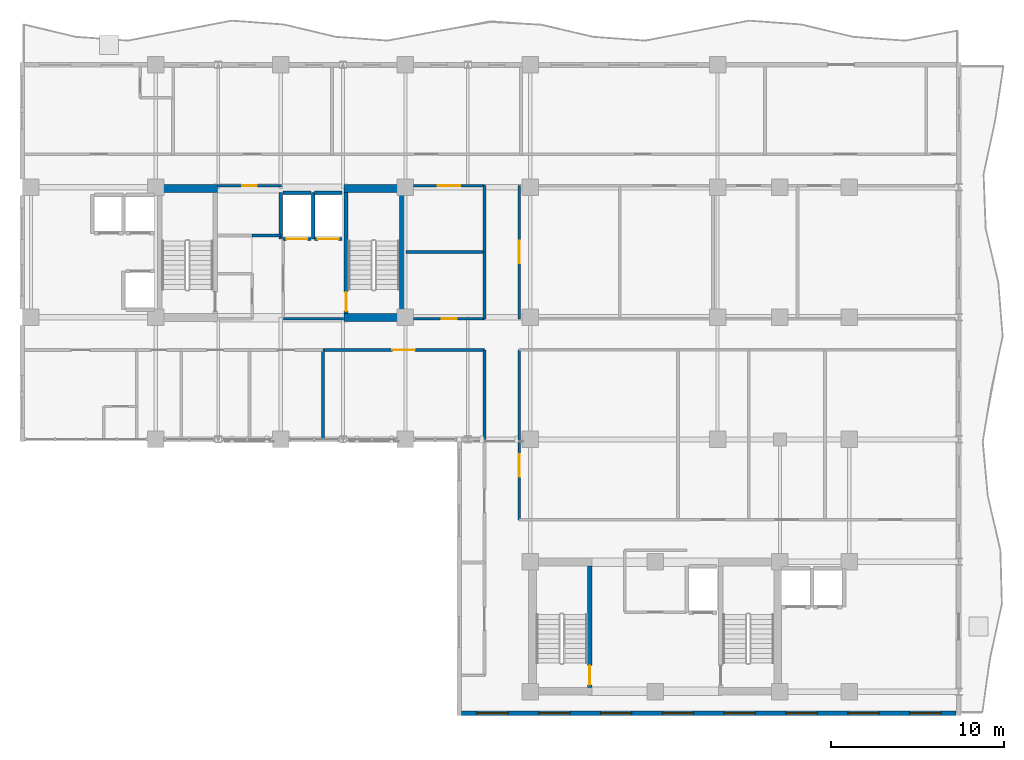
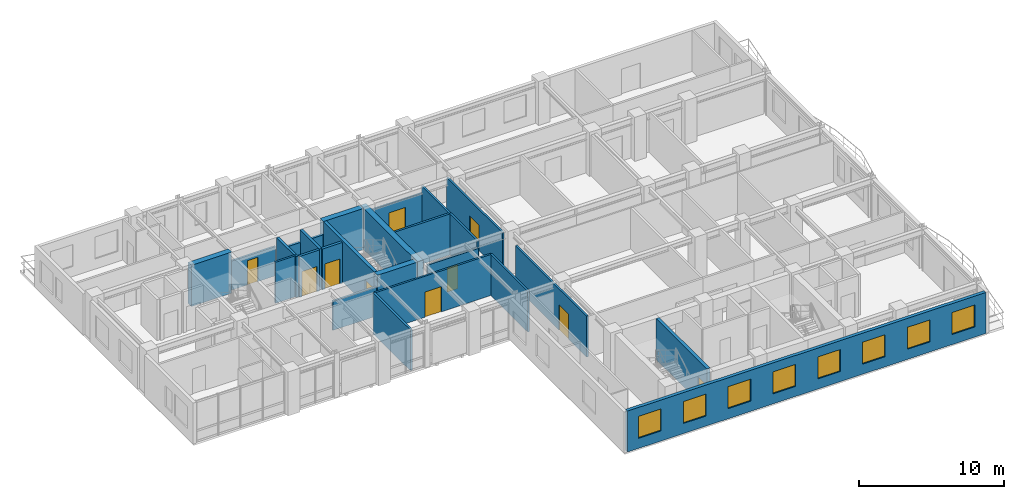
# One storey, part 9 of 16: 26 walls, 10 doors, 8 windows, 18 openings.
"""IFC4 building model written with IfcOpenShell, lengths in metres."""

import ifcopenshell
import ifcopenshell.guid

model = None  # the IFC model being written
_history = None  # IfcOwnerHistory: only IFC2X3 demands one
_inside = {}  # id of a spatial element -> (the spatial element, [elements in it])
_under = {}  # id of a project, library or spatial element -> (it, [spatial elements below it])
_declared = {}  # id of a project -> (the project, [libraries it declares])
_typed = {}  # id of a type object -> (the type object, [elements of that type])
_made_of = {}  # id of a material, layer set ... -> (it, [elements and type objects made of it])


def new_model(schema):
    """Start an empty IFC model of exactly this schema.

    Asked for "IFC4X3", IfcOpenShell would pick the latest addendum, in which some entities
    have other attributes; the version numbers below select the first issue.
    IFC2X3 requires an IfcOwnerHistory on every rooted entity: one is made here for all.
    """
    global model, _history
    if schema == "IFC4X3":
        model = ifcopenshell.file(schema_version=(4, 3, 0, 0))
    else:
        model = ifcopenshell.file(schema=schema)
    _inside.clear()
    _under.clear()
    _declared.clear()
    _typed.clear()
    _made_of.clear()
    _history = None
    if model.schema == "IFC2X3":
        org = make("IfcOrganization", Name="unknown")
        user = make(
            "IfcPersonAndOrganization",
            ThePerson=make("IfcPerson", FamilyName="unknown"),
            TheOrganization=org,
        )
        app = make(
            "IfcApplication",
            ApplicationDeveloper=org,
            Version="unknown",
            ApplicationFullName="unknown",
            ApplicationIdentifier="unknown",
        )
        _history = make(
            "IfcOwnerHistory",
            OwningUser=user,
            OwningApplication=app,
            ChangeAction="ADDED",
            CreationDate=0,
        )
    return model


def make(cls, **values):
    """One entity of the class cls with the attributes given. An attribute that is None is left unset."""
    return model.create_entity(
        cls, **{name: value for name, value in values.items() if value is not None}
    )


def rooted(cls, **values):
    """An entity with a GlobalId (a new one), such as an element, a storey or a relation."""
    return make(cls, GlobalId=ifcopenshell.guid.new(), OwnerHistory=_history, **values)


def si_unit(unit_type, name, prefix=None):
    """IfcSIUnit, for example si_unit("LENGTHUNIT", "METRE", prefix="MILLI")."""
    return make("IfcSIUnit", UnitType=unit_type, Prefix=prefix, Name=name)


def assignment(units):
    """IfcUnitAssignment: the units of a project."""
    return None if units is None else make("IfcUnitAssignment", Units=units)


def point(xyz):
    """IfcCartesianPoint."""
    return None if xyz is None else make("IfcCartesianPoint", Coordinates=xyz)


def direction(xyz):
    """IfcDirection."""
    return None if xyz is None else make("IfcDirection", DirectionRatios=xyz)


def frame(location, z_axis=None, x_axis=None):
    """IfcAxis2Placement3D, a coordinate frame: its origin and axes. An axis left out is left unset."""
    return make(
        "IfcAxis2Placement3D",
        Location=point(location),
        Axis=direction(z_axis),
        RefDirection=direction(x_axis),
    )


def frame_2d(location, x_axis=None):
    """IfcAxis2Placement2D, a coordinate frame in the plane: its origin and x axis."""
    return make(
        "IfcAxis2Placement2D", Location=point(location), RefDirection=direction(x_axis)
    )


def origin():
    """The frame at (0, 0, 0) with its axes left unset."""
    return frame((0.0, 0.0, 0.0))


def place(relative_to, where):
    """IfcLocalPlacement: puts the frame where relative to a parent placement (None: the world)."""
    return make(
        "IfcLocalPlacement", PlacementRelTo=relative_to, RelativePlacement=where
    )


def context(
    kind, dimensions, precision=None, world=None, true_north=None, identifier=None
):
    """IfcGeometricRepresentationContext, for example the 3D "Model" context."""
    return make(
        "IfcGeometricRepresentationContext",
        ContextIdentifier=identifier,
        ContextType=kind,
        CoordinateSpaceDimension=dimensions,
        Precision=precision,
        WorldCoordinateSystem=world,
        TrueNorth=true_north,
    )


def subcontext(parent, identifier, kind, view, scale=None):
    """IfcGeometricRepresentationSubContext, for example "Body" below "Model"."""
    return make(
        "IfcGeometricRepresentationSubContext",
        ContextIdentifier=identifier,
        ContextType=kind,
        ParentContext=parent,
        TargetScale=scale,
        TargetView=view,
    )


def project(units=None, contexts=None):
    """IfcProject with its units and contexts."""
    return rooted(
        "IfcProject",
        Name="project",
        RepresentationContexts=contexts,
        UnitsInContext=assignment(units),
    )


def spatial(cls, under=None, at=None, **own):
    """A site, building, storey or space (cls), placed at a placement, below another one or the project."""
    s = rooted(cls, ObjectPlacement=at, **own)
    if under is not None:
        _under.setdefault(under.id(), (under, []))[1].append(s)
    return s


def profile(cls, at=None, kind="AREA", **sizes):
    """A parametric profile (cls). Its sizes go by their IFC names, for example OverallWidth=200.0."""
    return make(cls, ProfileType=kind, Position=at, **sizes)


def rectangle(**sizes):
    """IfcRectangleProfileDef."""
    return profile("IfcRectangleProfileDef", **sizes)


def extrude(swept, where, along, depth):
    """IfcExtrudedAreaSolid: the profile swept, set in the frame where, extruded along a direction by depth."""
    return make(
        "IfcExtrudedAreaSolid",
        SweptArea=swept,
        Position=where,
        ExtrudedDirection=direction(along),
        Depth=depth,
    )


def shape(context_of_items, identifier, shape_type, items):
    """IfcShapeRepresentation: the items that make up one representation, for example the "Body"."""
    return make(
        "IfcShapeRepresentation",
        ContextOfItems=context_of_items,
        RepresentationIdentifier=identifier,
        RepresentationType=shape_type,
        Items=items,
    )


def material(Name=None, Category=None):
    """IfcMaterial."""
    return make("IfcMaterial", Name=Name, Category=Category)


def layer(
    of_material, thickness, ventilated=None, Name=None, Category=None, Priority=None
):
    """IfcMaterialLayer: one layer of a wall or slab, of a material (None: an air gap)."""
    return make(
        "IfcMaterialLayer",
        Material=of_material,
        LayerThickness=thickness,
        IsVentilated=ventilated,
        Name=Name,
        Category=Category,
        Priority=Priority,
    )


def layer_set(layers, Name=None):
    """IfcMaterialLayerSet."""
    return make("IfcMaterialLayerSet", MaterialLayers=layers, LayerSetName=Name)


def made_of(thing, what):
    """Note that an element or type object is made of a material, layer set ...; save() writes the relation."""
    if what is not None:
        _made_of.setdefault(what.id(), (what, []))[1].append(thing)
    return thing


def type_object(cls, material=None, **own):
    """A type object (cls), such as IfcWallType, which elements share."""
    return made_of(rooted(cls, **own), material)


def element(
    cls,
    number,
    at=None,
    inside=None,
    cuts=None,
    type_object=None,
    material=None,
    context=None,
    identifier="Body",
    shape_type=None,
    held_by="IfcProductDefinitionShape",
    body=None,
    shapes=None,
    **own,
):
    """One element of the class cls, such as IfcWall. Its Tag is "e" and its number.

    at: its placement. inside: the storey or other place that contains it. cuts: it is an
    opening in that element (IfcRelVoidsElement). A single representation is given by context,
    identifier, shape_type and body (its items); several are given by shapes. held_by: the class
    of the entity that holds the representations. save() writes the other relations.
    """
    e = rooted(cls, Tag="e%d" % number, ObjectPlacement=at, **own)
    if body is not None:
        shapes = [shape(context, identifier, shape_type, body)]
    if shapes is not None:
        e.Representation = make(held_by, Representations=shapes)
    if inside is not None:
        _inside.setdefault(inside.id(), (inside, []))[1].append(e)
    if cuts is not None:
        rooted(
            "IfcRelVoidsElement", RelatingBuildingElement=cuts, RelatedOpeningElement=e
        )
    if type_object is not None:
        _typed.setdefault(type_object.id(), (type_object, []))[1].append(e)
    return made_of(e, material)


def fill(opening, filler):
    """IfcRelFillsElement: the door or window that sits in an opening."""
    return rooted(
        "IfcRelFillsElement",
        RelatingOpeningElement=opening,
        RelatedBuildingElement=filler,
    )


def aggregate(whole, parts):
    """IfcRelAggregates: a whole, such as a stair, and the parts it consists of."""
    return rooted("IfcRelAggregates", RelatingObject=whole, RelatedObjects=parts)


def save(model, path):
    """Write the relations noted so far, then the file.

    IfcRelAggregates (storeys below a building ...), IfcRelContainedInSpatialStructure (elements
    in a storey), IfcRelDefinesByType, IfcRelAssociatesMaterial and IfcRelDeclares: one each for
    every whole, place, type object, material and project.
    """
    for whole, parts in _under.values():
        aggregate(whole, parts)
    for where, things in _inside.values():
        rooted(
            "IfcRelContainedInSpatialStructure",
            RelatedElements=things,
            RelatingStructure=where,
        )
    for kind, things in _typed.values():
        rooted("IfcRelDefinesByType", RelatedObjects=things, RelatingType=kind)
    for what, things in _made_of.values():
        rooted("IfcRelAssociatesMaterial", RelatedObjects=things, RelatingMaterial=what)
    for by, libraries in _declared.values():
        rooted("IfcRelDeclares", RelatingContext=by, RelatedDefinitions=libraries)
    model.write(path)


model = new_model("IFC4")

# Units and contexts
model_context = context("Model", 3, precision=1e-05, world=origin(), true_north=direction((0.0, 1.0)))
body_context = subcontext(model_context, "Body", "Model", "MODEL_VIEW")
ifc_project = project(units=[si_unit("LENGTHUNIT", "METRE"), si_unit("AREAUNIT", "SQUARE_METRE"), si_unit("VOLUMEUNIT", "CUBIC_METRE"), si_unit("PLANEANGLEUNIT", "RADIAN"), si_unit("MASSUNIT", "GRAM", prefix="KILO")], contexts=[model_context])

# Site, building, storey
site_placement = place(None, origin())
site = spatial("IfcSite", under=ifc_project, at=site_placement, CompositionType="ELEMENT")
building_placement = place(site_placement, origin())
building = spatial("IfcBuilding", under=site, at=building_placement, Name="Kaliganga Portal Commons", CompositionType="ELEMENT")
storey_placement = place(building_placement, frame((0.0, 0.0, 205.5)))
storey = spatial("IfcBuildingStorey", under=building, at=storey_placement, Name="L52", CompositionType="ELEMENT", Elevation=205.5)

# Walls
ifc_material_1 = material(Name="Concrete C60/75", Category="concrete")
ifc_layer_1 = layer(ifc_material_1, 0.449951171875)
ifc_layer_set_1 = layer_set([ifc_layer_1], Name="Concrete C60/75")
wall_type_1 = type_object("IfcWallType", Name="WL-CORE-450", PredefinedType="SHEAR", material=ifc_layer_set_1)
wall_1_placement = place(storey_placement, frame((28.675048828125, 28.39990234375, 0.0), z_axis=(0.0, 0.0, 1.0), x_axis=(0.0, 1.0, 0.0)))
element("IfcWall", 1, at=wall_1_placement, inside=storey, type_object=wall_type_1, Name="Core A East Shear Wall L52", PredefinedType="SHEAR", context=body_context, shape_type="SweptSolid", body=[
    extrude(rectangle(XDim=7.900146484375, YDim=0.449951171875, at=frame_2d((3.9501953125, 0.0))), origin(), (0.0, 0.0, 1.0), 3.469970703125),
])
for number, where, z_axis, x_axis, name in (
    (2, (25.25, 28.625, 0.0), (0.0, 0.0, 1.0), (1.0, 0.0, 0.0), "Core A S-East Shear Wall L52"),
    (3, (14.75, 36.074951171875, 0.0), (0.0, 0.0, 1.0), (1.0, 0.0, 0.0), "Core A N-West Shear Wall L52"),
    (4, (25.25, 36.074951171875, 0.0), (0.0, 0.0, 1.0), (1.0, 0.0, 0.0), "Core A N-East Shear Wall L52"),
):
    element("IfcWall", number, at=place(storey_placement, frame(where, z_axis=z_axis, x_axis=x_axis)), inside=storey, type_object=wall_type_1, Name=name, PredefinedType="SHEAR", context=body_context, shape_type="SweptSolid", body=[
        extrude(rectangle(XDim=3.199951171875, YDim=0.449951171875, at=frame_2d((1.60009765625, 0.0))), origin(), (0.0, 0.0, 1.0), 3.469970703125),
    ])

# Wall, openings, windows
ifc_material_2 = material(Name="Insulated Aluminium-Clad Spandrel Assembly", Category="aluminium")
ifc_layer_2 = layer(ifc_material_2, 0.260009765625)
ifc_layer_set_2 = layer_set([ifc_layer_2], Name="Insulated Aluminium-Clad Spandrel Assembly")
wall_type_2 = type_object("IfcWallType", Name="WL-EXT-SPAND-260", PredefinedType="STANDARD", material=ifc_layer_set_2)
wall_2_placement = place(storey_placement, frame((60.56494140625, 5.800048828125, 0.0), z_axis=(0.0, 0.0, 1.0), x_axis=(-1.0, 0.0, 0.0)))
wall_2 = element("IfcWall", 5, at=wall_2_placement, inside=storey, type_object=wall_type_2, Name="Exterior Envelope Wall L52 P1-E00-S1", PredefinedType="STANDARD", context=body_context, shape_type="SweptSolid", body=[
    extrude(rectangle(XDim=28.530029296875, YDim=0.260009765625, at=frame_2d((14.26513671875, 0.0))), origin(), (0.0, 0.0, 1.0), 3.449951171875),
])
opening_1_placement = place(wall_2_placement, frame((0.883056640625, 0.0, 0.85009765625)))
opening_1 = element("IfcOpeningElement", 6, at=opening_1_placement, cuts=wall_2, Name="Opening W-01", PredefinedType="OPENING", context=body_context, shape_type="SweptSolid", body=[
    extrude(rectangle(XDim=1.800048828125, YDim=1.85009765625, at=frame_2d((0.89990234375, 0.925048828125))), frame((0.0, 0.14013671875, 0.0), z_axis=(0.0, -1.0, 0.0), x_axis=(1.0, 0.0, 0.0)), (0.0, 0.0, 1.0), 0.280029296875),
])
opening_2_placement = place(wall_2_placement, frame((4.449462890625, 0.0, 0.85009765625)))
opening_2 = element("IfcOpeningElement", 7, at=opening_2_placement, cuts=wall_2, Name="Opening W-01", PredefinedType="OPENING", context=body_context, shape_type="SweptSolid", body=[
    extrude(rectangle(XDim=1.800048828125, YDim=1.85009765625, at=frame_2d((0.89990234375, 0.925048828125))), frame((0.0, 0.14013671875, 0.0), z_axis=(0.0, -1.0, 0.0), x_axis=(1.0, 0.0, 0.0)), (0.0, 0.0, 1.0), 0.280029296875),
])
opening_3_placement = place(wall_2_placement, frame((8.015625, 0.0, 0.85009765625)))
opening_3 = element("IfcOpeningElement", 8, at=opening_3_placement, cuts=wall_2, Name="Opening W-01", PredefinedType="OPENING", context=body_context, shape_type="SweptSolid", body=[
    extrude(rectangle(XDim=1.800048828125, YDim=1.85009765625, at=frame_2d((0.89990234375, 0.925048828125))), frame((0.0, 0.14013671875, 0.0), z_axis=(0.0, -1.0, 0.0), x_axis=(1.0, 0.0, 0.0)), (0.0, 0.0, 1.0), 0.280029296875),
])
opening_4_placement = place(wall_2_placement, frame((11.581787109375, 0.0, 0.85009765625)))
opening_4 = element("IfcOpeningElement", 9, at=opening_4_placement, cuts=wall_2, Name="Opening W-01", PredefinedType="OPENING", context=body_context, shape_type="SweptSolid", body=[
    extrude(rectangle(XDim=1.800048828125, YDim=1.85009765625, at=frame_2d((0.89990234375, 0.925048828125))), frame((0.0, 0.14013671875, 0.0), z_axis=(0.0, -1.0, 0.0), x_axis=(1.0, 0.0, 0.0)), (0.0, 0.0, 1.0), 0.280029296875),
])
opening_5_placement = place(wall_2_placement, frame((15.148193359375, 0.0, 0.85009765625)))
opening_5 = element("IfcOpeningElement", 10, at=opening_5_placement, cuts=wall_2, Name="Opening W-01", PredefinedType="OPENING", context=body_context, shape_type="SweptSolid", body=[
    extrude(rectangle(XDim=1.800048828125, YDim=1.85009765625, at=frame_2d((0.89990234375, 0.925048828125))), frame((0.0, 0.14013671875, 0.0), z_axis=(0.0, -1.0, 0.0), x_axis=(1.0, 0.0, 0.0)), (0.0, 0.0, 1.0), 0.280029296875),
])
opening_6_placement = place(wall_2_placement, frame((18.71435546875, 0.0, 0.85009765625)))
opening_6 = element("IfcOpeningElement", 11, at=opening_6_placement, cuts=wall_2, Name="Opening W-01", PredefinedType="OPENING", context=body_context, shape_type="SweptSolid", body=[
    extrude(rectangle(XDim=1.800048828125, YDim=1.85009765625, at=frame_2d((0.89990234375, 0.925048828125))), frame((0.0, 0.14013671875, 0.0), z_axis=(0.0, -1.0, 0.0), x_axis=(1.0, 0.0, 0.0)), (0.0, 0.0, 1.0), 0.280029296875),
])
opening_7_placement = place(wall_2_placement, frame((22.280517578125, 0.0, 0.85009765625)))
opening_7 = element("IfcOpeningElement", 12, at=opening_7_placement, cuts=wall_2, Name="Opening W-01", PredefinedType="OPENING", context=body_context, shape_type="SweptSolid", body=[
    extrude(rectangle(XDim=1.800048828125, YDim=1.85009765625, at=frame_2d((0.89990234375, 0.925048828125))), frame((0.0, 0.14013671875, 0.0), z_axis=(0.0, -1.0, 0.0), x_axis=(1.0, 0.0, 0.0)), (0.0, 0.0, 1.0), 0.280029296875),
])
opening_8_placement = place(wall_2_placement, frame((25.846923828125, 0.0, 0.85009765625)))
opening_8 = element("IfcOpeningElement", 13, at=opening_8_placement, cuts=wall_2, Name="Opening W-01", PredefinedType="OPENING", context=body_context, shape_type="SweptSolid", body=[
    extrude(rectangle(XDim=1.800048828125, YDim=1.85009765625, at=frame_2d((0.89990234375, 0.925048828125))), frame((0.0, 0.14013671875, 0.0), z_axis=(0.0, -1.0, 0.0), x_axis=(1.0, 0.0, 0.0)), (0.0, 0.0, 1.0), 0.280029296875),
])
ifc_material_3 = material(Name="Thermally Broken Aluminium and Low-E Double Glazing", Category="aluminium")
window_type = type_object("IfcWindowType", Name="WIN-STD-1800", PartitioningType="DOUBLE_PANEL_VERTICAL", PredefinedType="WINDOW", material=ifc_material_3)
window_1_placement = place(opening_1_placement, origin())
window_1 = element("IfcWindow", 14, at=window_1_placement, inside=storey, type_object=window_type, Name="Facade Window L52-P1E00S1-00", OverallHeight=1.85009765625, OverallWidth=1.800048828125, PartitioningType="SINGLE_PANEL", PredefinedType="WINDOW", context=body_context, shape_type="SweptSolid", body=[
    extrude(rectangle(XDim=1.800048828125, YDim=1.85009765625, at=frame_2d((0.89990234375, 0.925048828125))), frame((0.0, 0.030029296875, 0.0), z_axis=(0.0, -1.0, 0.0), x_axis=(1.0, 0.0, 0.0)), (0.0, 0.0, 1.0), 0.06005859375),
])
fill(opening_1, window_1)
window_2_placement = place(opening_2_placement, origin())
window_2 = element("IfcWindow", 15, at=window_2_placement, inside=storey, type_object=window_type, Name="Facade Window L52-P1E00S1-01", OverallHeight=1.85009765625, OverallWidth=1.800048828125, PartitioningType="SINGLE_PANEL", PredefinedType="WINDOW", context=body_context, shape_type="SweptSolid", body=[
    extrude(rectangle(XDim=1.800048828125, YDim=1.85009765625, at=frame_2d((0.89990234375, 0.925048828125))), frame((0.0, 0.030029296875, 0.0), z_axis=(0.0, -1.0, 0.0), x_axis=(1.0, 0.0, 0.0)), (0.0, 0.0, 1.0), 0.06005859375),
])
fill(opening_2, window_2)
window_3_placement = place(opening_3_placement, origin())
window_3 = element("IfcWindow", 16, at=window_3_placement, inside=storey, type_object=window_type, Name="Facade Window L52-P1E00S1-02", OverallHeight=1.85009765625, OverallWidth=1.800048828125, PartitioningType="SINGLE_PANEL", PredefinedType="WINDOW", context=body_context, shape_type="SweptSolid", body=[
    extrude(rectangle(XDim=1.800048828125, YDim=1.85009765625, at=frame_2d((0.89990234375, 0.925048828125))), frame((0.0, 0.030029296875, 0.0), z_axis=(0.0, -1.0, 0.0), x_axis=(1.0, 0.0, 0.0)), (0.0, 0.0, 1.0), 0.06005859375),
])
fill(opening_3, window_3)
window_4_placement = place(opening_4_placement, origin())
window_4 = element("IfcWindow", 17, at=window_4_placement, inside=storey, type_object=window_type, Name="Facade Window L52-P1E00S1-03", OverallHeight=1.85009765625, OverallWidth=1.800048828125, PartitioningType="SINGLE_PANEL", PredefinedType="WINDOW", context=body_context, shape_type="SweptSolid", body=[
    extrude(rectangle(XDim=1.800048828125, YDim=1.85009765625, at=frame_2d((0.89990234375, 0.925048828125))), frame((0.0, 0.030029296875, 0.0), z_axis=(0.0, -1.0, 0.0), x_axis=(1.0, 0.0, 0.0)), (0.0, 0.0, 1.0), 0.06005859375),
])
fill(opening_4, window_4)
window_5_placement = place(opening_5_placement, origin())
window_5 = element("IfcWindow", 18, at=window_5_placement, inside=storey, type_object=window_type, Name="Facade Window L52-P1E00S1-04", OverallHeight=1.85009765625, OverallWidth=1.800048828125, PartitioningType="SINGLE_PANEL", PredefinedType="WINDOW", context=body_context, shape_type="SweptSolid", body=[
    extrude(rectangle(XDim=1.800048828125, YDim=1.85009765625, at=frame_2d((0.89990234375, 0.925048828125))), frame((0.0, 0.030029296875, 0.0), z_axis=(0.0, -1.0, 0.0), x_axis=(1.0, 0.0, 0.0)), (0.0, 0.0, 1.0), 0.06005859375),
])
fill(opening_5, window_5)
window_6_placement = place(opening_6_placement, origin())
window_6 = element("IfcWindow", 19, at=window_6_placement, inside=storey, type_object=window_type, Name="Facade Window L52-P1E00S1-05", OverallHeight=1.85009765625, OverallWidth=1.800048828125, PartitioningType="SINGLE_PANEL", PredefinedType="WINDOW", context=body_context, shape_type="SweptSolid", body=[
    extrude(rectangle(XDim=1.800048828125, YDim=1.85009765625, at=frame_2d((0.89990234375, 0.925048828125))), frame((0.0, 0.030029296875, 0.0), z_axis=(0.0, -1.0, 0.0), x_axis=(1.0, 0.0, 0.0)), (0.0, 0.0, 1.0), 0.06005859375),
])
fill(opening_6, window_6)
window_7_placement = place(opening_7_placement, origin())
window_7 = element("IfcWindow", 20, at=window_7_placement, inside=storey, type_object=window_type, Name="Facade Window L52-P1E00S1-06", OverallHeight=1.85009765625, OverallWidth=1.800048828125, PartitioningType="SINGLE_PANEL", PredefinedType="WINDOW", context=body_context, shape_type="SweptSolid", body=[
    extrude(rectangle(XDim=1.800048828125, YDim=1.85009765625, at=frame_2d((0.89990234375, 0.925048828125))), frame((0.0, 0.030029296875, 0.0), z_axis=(0.0, -1.0, 0.0), x_axis=(1.0, 0.0, 0.0)), (0.0, 0.0, 1.0), 0.06005859375),
])
fill(opening_7, window_7)
window_8_placement = place(opening_8_placement, origin())
window_8 = element("IfcWindow", 21, at=window_8_placement, inside=storey, type_object=window_type, Name="Facade Window L52-P1E00S1-07", OverallHeight=1.85009765625, OverallWidth=1.800048828125, PartitioningType="SINGLE_PANEL", PredefinedType="WINDOW", context=body_context, shape_type="SweptSolid", body=[
    extrude(rectangle(XDim=1.800048828125, YDim=1.85009765625, at=frame_2d((0.89990234375, 0.925048828125))), frame((0.0, 0.030029296875, 0.0), z_axis=(0.0, -1.0, 0.0), x_axis=(1.0, 0.0, 0.0)), (0.0, 0.0, 1.0), 0.06005859375),
])
fill(opening_8, window_8)

# Wall, opening, door
ifc_material_4 = material(Name="Fire-Rated Gypsum Board on Steel Stud", Category="steel")
ifc_layer_3 = layer(ifc_material_4, 0.14990234375)
ifc_layer_set_3 = layer_set([ifc_layer_3], Name="Fire-Rated Gypsum Board on Steel Stud")
wall_type_3 = type_object("IfcWallType", Name="WL-PART-CORR-150", PredefinedType="PARTITIONING", material=ifc_layer_set_3)
wall_3_placement = place(storey_placement, frame((35.360107421875, 16.9599609375, 0.0), z_axis=(0.0, 0.0, 1.0), x_axis=(0.0, 1.0, 0.0)))
wall_3 = element("IfcWall", 22, at=wall_3_placement, inside=storey, type_object=wall_type_3, Name="Interior Partition L52-009", PredefinedType="PARTITIONING", context=body_context, shape_type="SweptSolid", body=[
    extrude(rectangle(XDim=9.800048828125, YDim=0.14990234375, at=frame_2d((4.89990234375, 0.0))), origin(), (0.0, 0.0, 1.0), 3.449951171875),
])
opening_9_placement = place(wall_3_placement, frame((2.486083984375, 0.0, 0.0)))
opening_9 = element("IfcOpeningElement", 23, at=opening_9_placement, cuts=wall_3, Name="Opening RD-03", PredefinedType="OPENING", context=body_context, shape_type="SweptSolid", body=[
    extrude(rectangle(XDim=1.300048828125, YDim=2.1201171875, at=frame_2d((0.64990234375, 1.06005859375))), frame((0.0, 0.0849609375, 0.0), z_axis=(0.0, -1.0, 0.0), x_axis=(1.0, 0.0, 0.0)), (0.0, 0.0, 1.0), 0.169921875),
])
ifc_material_5 = material(Name="Glazed Timber Seminar Vision Door", Category="wood")
door_type_1 = type_object("IfcDoorType", Name="DR-STUDY-1300", OperationType="DOUBLE_DOOR_SINGLE_SWING", PredefinedType="DOOR", material=ifc_material_5)
door_1_placement = place(opening_9_placement, origin())
door_1 = element("IfcDoor", 24, at=door_1_placement, inside=storey, type_object=door_type_1, Name="Interior Door L52-BM01", OperationType="DOUBLE_DOOR_SINGLE_SWING", OverallHeight=2.1201171875, OverallWidth=1.300048828125, PredefinedType="DOOR", context=body_context, shape_type="SweptSolid", body=[
    extrude(rectangle(XDim=1.300048828125, YDim=2.1201171875, at=frame_2d((0.64990234375, 1.06005859375))), frame((0.0, 0.02490234375, 0.0), z_axis=(0.0, -1.0, 0.0), x_axis=(1.0, 0.0, 0.0)), (0.0, 0.0, 1.0), 0.050048828125),
])
fill(opening_9, door_1)

wall_4_placement = place(storey_placement, frame((24.0400390625, 26.760009765625, 0.0), z_axis=(0.0, 0.0, 1.0), x_axis=(1.0, 0.0, 0.0)))
wall_4 = element("IfcWall", 25, at=wall_4_placement, inside=storey, type_object=wall_type_3, Name="Interior Partition L52-010", PredefinedType="PARTITIONING", context=body_context, shape_type="SweptSolid", body=[
    extrude(rectangle(XDim=9.320068359375, YDim=0.14990234375, at=frame_2d((4.66015625, 0.0))), origin(), (0.0, 0.0, 1.0), 3.449951171875),
])
opening_10_placement = place(wall_4_placement, frame((4.010009765625, 0.0, 0.0)))
opening_10 = element("IfcOpeningElement", 26, at=opening_10_placement, cuts=wall_4, Name="Opening RD-03", PredefinedType="OPENING", context=body_context, shape_type="SweptSolid", body=[
    extrude(rectangle(XDim=1.300048828125, YDim=2.1201171875, at=frame_2d((0.64990234375, 1.06005859375))), frame((0.0, 0.0849609375, 0.0), z_axis=(0.0, -1.0, 0.0), x_axis=(1.0, 0.0, 0.0)), (0.0, 0.0, 1.0), 0.169921875),
])
door_2_placement = place(opening_10_placement, origin())
door_2 = element("IfcDoor", 27, at=door_2_placement, inside=storey, type_object=door_type_1, Name="Interior Door L52-AS05", OperationType="DOUBLE_DOOR_SINGLE_SWING", OverallHeight=2.1201171875, OverallWidth=1.300048828125, PredefinedType="DOOR", context=body_context, shape_type="SweptSolid", body=[
    extrude(rectangle(XDim=1.300048828125, YDim=2.1201171875, at=frame_2d((0.64990234375, 1.06005859375))), frame((0.0, 0.02490234375, 0.0), z_axis=(0.0, -1.0, 0.0), x_axis=(1.0, 0.0, 0.0)), (0.0, 0.0, 1.0), 0.050048828125),
])
fill(opening_10, door_2)

wall_5_placement = place(storey_placement, frame((35.360107421875, 28.56005859375, 0.0), z_axis=(0.0, 0.0, 1.0), x_axis=(0.0, 1.0, 0.0)))
wall_5 = element("IfcWall", 28, at=wall_5_placement, inside=storey, type_object=wall_type_3, Name="Interior Partition L52-018", PredefinedType="PARTITIONING", context=body_context, shape_type="SweptSolid", body=[
    extrude(rectangle(XDim=7.679931640625, YDim=0.14990234375, at=frame_2d((3.83984375, 0.0))), origin(), (0.0, 0.0, 1.0), 3.449951171875),
])
opening_11_placement = place(wall_5_placement, frame((3.18994140625, 0.0, 0.0)))
opening_11 = element("IfcOpeningElement", 29, at=opening_11_placement, cuts=wall_5, Name="Opening RD-03", PredefinedType="OPENING", context=body_context, shape_type="SweptSolid", body=[
    extrude(rectangle(XDim=1.300048828125, YDim=2.1201171875, at=frame_2d((0.64990234375, 1.06005859375))), frame((0.0, 0.0849609375, 0.0), z_axis=(0.0, -1.0, 0.0), x_axis=(1.0, 0.0, 0.0)), (0.0, 0.0, 1.0), 0.169921875),
])
door_3_placement = place(opening_11_placement, origin())
door_3 = element("IfcDoor", 30, at=door_3_placement, inside=storey, type_object=door_type_1, Name="Interior Door L52-BK01", OperationType="DOUBLE_DOOR_SINGLE_SWING", OverallHeight=2.1201171875, OverallWidth=1.300048828125, PredefinedType="DOOR", context=body_context, shape_type="SweptSolid", body=[
    extrude(rectangle(XDim=1.300048828125, YDim=2.1201171875, at=frame_2d((0.64990234375, 1.06005859375))), frame((0.0, 0.02490234375, 0.0), z_axis=(0.0, -1.0, 0.0), x_axis=(1.0, 0.0, 0.0)), (0.0, 0.0, 1.0), 0.050048828125),
])
fill(opening_11, door_3)

# Wall
wall_6_placement = place(storey_placement, frame((33.360107421875, 21.60009765625, 0.0), z_axis=(0.0, 0.0, 1.0), x_axis=(0.0, 1.0, 0.0)))
element("IfcWall", 31, at=wall_6_placement, inside=storey, type_object=wall_type_3, Name="Interior Partition L52-024", PredefinedType="PARTITIONING", context=body_context, shape_type="SweptSolid", body=[
    extrude(rectangle(XDim=5.159912109375, YDim=0.14990234375, at=frame_2d((2.580078125, 0.0))), origin(), (0.0, 0.0, 1.0), 3.449951171875),
])

# Wall, opening, door
wall_7_placement = place(storey_placement, frame((29.27490234375, 28.56005859375, 0.0), z_axis=(0.0, 0.0, 1.0), x_axis=(1.0, 0.0, 0.0)))
wall_7 = element("IfcWall", 32, at=wall_7_placement, inside=storey, type_object=wall_type_3, Name="Interior Partition L52-027", PredefinedType="PARTITIONING", context=body_context, shape_type="SweptSolid", body=[
    extrude(rectangle(XDim=4.085205078125, YDim=0.14990234375, at=frame_2d((2.04248046875, 0.0))), origin(), (0.0, 0.0, 1.0), 2.85009765625),
])
opening_12_placement = place(wall_7_placement, frame((1.612548828125, 0.0, 0.0)))
opening_12 = element("IfcOpeningElement", 33, at=opening_12_placement, cuts=wall_7, Name="Opening WD-02", PredefinedType="OPENING", context=body_context, shape_type="SweptSolid", body=[
    extrude(rectangle(XDim=0.860107421875, YDim=2.02001953125, at=frame_2d((0.43017578125, 1.010009765625))), frame((0.0, 0.0849609375, 0.0), z_axis=(0.0, -1.0, 0.0), x_axis=(1.0, 0.0, 0.0)), (0.0, 0.0, 1.0), 0.169921875),
])
ifc_material_6 = material(Name="Fire-Rated Utility Closet Door", Category="wood")
door_type_2 = type_object("IfcDoorType", Name="DR-STORE-800", OperationType="NOTDEFINED", PredefinedType="DOOR", material=ifc_material_6)
door_4_placement = place(opening_12_placement, origin())
door_4 = element("IfcDoor", 34, at=door_4_placement, inside=storey, type_object=door_type_2, Name="Interior Door L52-CSRV_A1", OperationType="SINGLE_SWING_RIGHT", OverallHeight=2.02001953125, OverallWidth=0.860107421875, PredefinedType="DOOR", context=body_context, shape_type="SweptSolid", body=[
    extrude(rectangle(XDim=0.860107421875, YDim=2.02001953125, at=frame_2d((0.43017578125, 1.010009765625))), frame((0.0, 0.02490234375, 0.0), z_axis=(0.0, -1.0, 0.0), x_axis=(1.0, 0.0, 0.0)), (0.0, 0.0, 1.0), 0.050048828125),
])
fill(opening_12, door_4)

wall_8_placement = place(storey_placement, frame((29.27490234375, 36.239990234375, 0.0), z_axis=(0.0, 0.0, 1.0), x_axis=(1.0, 0.0, 0.0)))
wall_8 = element("IfcWall", 35, at=wall_8_placement, inside=storey, type_object=wall_type_3, Name="Interior Partition L52-028", PredefinedType="PARTITIONING", context=body_context, shape_type="SweptSolid", body=[
    extrude(rectangle(XDim=4.085205078125, YDim=0.14990234375, at=frame_2d((2.04248046875, 0.0))), origin(), (0.0, 0.0, 1.0), 2.85009765625),
])
opening_13_placement = place(wall_8_placement, frame((1.392578125, 0.0, 0.0)))
opening_13 = element("IfcOpeningElement", 36, at=opening_13_placement, cuts=wall_8, Name="Opening RD-03", PredefinedType="OPENING", context=body_context, shape_type="SweptSolid", body=[
    extrude(rectangle(XDim=1.300048828125, YDim=2.1201171875, at=frame_2d((0.64990234375, 1.06005859375))), frame((0.0, 0.0849609375, 0.0), z_axis=(0.0, -1.0, 0.0), x_axis=(1.0, 0.0, 0.0)), (0.0, 0.0, 1.0), 0.169921875),
])
door_5_placement = place(opening_13_placement, origin())
door_5 = element("IfcDoor", 37, at=door_5_placement, inside=storey, type_object=door_type_1, Name="Interior Door L52-CSRV_A2", OperationType="DOUBLE_DOOR_SINGLE_SWING", OverallHeight=2.1201171875, OverallWidth=1.300048828125, PredefinedType="DOOR", context=body_context, shape_type="SweptSolid", body=[
    extrude(rectangle(XDim=1.300048828125, YDim=2.1201171875, at=frame_2d((0.64990234375, 1.06005859375))), frame((0.0, 0.02490234375, 0.0), z_axis=(0.0, -1.0, 0.0), x_axis=(1.0, 0.0, 0.0)), (0.0, 0.0, 1.0), 0.050048828125),
])
fill(opening_13, door_5)

# Walls
wall_9_placement = place(storey_placement, frame((33.360107421875, 32.39990234375, 0.0), z_axis=(0.0, 0.0, 1.0), x_axis=(0.0, 1.0, 0.0)))
element("IfcWall", 38, at=wall_9_placement, inside=storey, type_object=wall_type_3, Name="Interior Partition L52-033", PredefinedType="PARTITIONING", context=body_context, shape_type="SweptSolid", body=[
    extrude(rectangle(XDim=3.840087890625, YDim=0.14990234375, at=frame_2d((1.919921875, 0.0))), origin(), (0.0, 0.0, 1.0), 3.449951171875),
])
wall_10_placement = place(storey_placement, frame((33.360107421875, 28.56005859375, 0.0), z_axis=(0.0, 0.0, 1.0), x_axis=(0.0, 1.0, 0.0)))
element("IfcWall", 39, at=wall_10_placement, inside=storey, type_object=wall_type_3, Name="Interior Partition L52-034", PredefinedType="PARTITIONING", context=body_context, shape_type="SweptSolid", body=[
    extrude(rectangle(XDim=3.83984375, YDim=0.14990234375, at=frame_2d((1.919921875, 0.0))), origin(), (0.0, 0.0, 1.0), 3.449951171875),
])

# Wall, opening, door
wall_11_placement = place(storey_placement, frame((17.9599609375, 36.239990234375, 0.0), z_axis=(0.0, 0.0, 1.0), x_axis=(1.0, 0.0, 0.0)))
wall_11 = element("IfcWall", 40, at=wall_11_placement, inside=storey, type_object=wall_type_3, Name="Interior Partition L52-035", PredefinedType="PARTITIONING", context=body_context, shape_type="SweptSolid", body=[
    extrude(rectangle(XDim=3.679931640625, YDim=0.14990234375, at=frame_2d((1.83984375, 0.0))), origin(), (0.0, 0.0, 1.0), 2.449951171875),
])
opening_14_placement = place(wall_11_placement, frame((1.4150390625, 0.0, 0.0)))
opening_14 = element("IfcOpeningElement", 41, at=opening_14_placement, cuts=wall_11, Name="Opening WD-01", PredefinedType="OPENING", context=body_context, shape_type="SweptSolid", body=[
    extrude(rectangle(XDim=0.85009765625, YDim=2.0400390625, at=frame_2d((0.425048828125, 1.02001953125))), frame((0.0, 0.0849609375, 0.0), z_axis=(0.0, -1.0, 0.0), x_axis=(1.0, 0.0, 0.0)), (0.0, 0.0, 1.0), 0.169921875),
])
ifc_material_7 = material(Name="Moisture-Resistant Laminate Timber Door", Category="wood")
door_type_3 = type_object("IfcDoorType", Name="DR-WET-850", OperationType="NOTDEFINED", PredefinedType="DOOR", material=ifc_material_7)
door_6_placement = place(opening_14_placement, origin())
door_6 = element("IfcDoor", 42, at=door_6_placement, inside=storey, type_object=door_type_3, Name="Interior Door L52-CREC_A1", OperationType="SINGLE_SWING_RIGHT", OverallHeight=2.0400390625, OverallWidth=0.85009765625, PredefinedType="DOOR", context=body_context, shape_type="SweptSolid", body=[
    extrude(rectangle(XDim=0.85009765625, YDim=2.0400390625, at=frame_2d((0.425048828125, 1.02001953125))), frame((0.0, 0.02490234375, 0.0), z_axis=(0.0, -1.0, 0.0), x_axis=(1.0, 0.0, 0.0)), (0.0, 0.0, 1.0), 0.050048828125),
])
fill(opening_14, door_6)

# Walls
wall_12_placement = place(storey_placement, frame((19.9599609375, 33.360107421875, 0.0), z_axis=(0.0, 0.0, 1.0), x_axis=(1.0, 0.0, 0.0)))
element("IfcWall", 43, at=wall_12_placement, inside=storey, type_object=wall_type_3, Name="Interior Partition L52-045", PredefinedType="PARTITIONING", context=body_context, shape_type="SweptSolid", body=[
    extrude(rectangle(XDim=1.650146484375, YDim=0.14990234375, at=frame_2d((0.8251953125, 0.0))), origin(), (0.0, 0.0, 1.0), 3.449951171875),
])
wall_13_placement = place(storey_placement, frame((21.760009765625, 28.56005859375, 0.0), z_axis=(0.0, 0.0, 1.0), x_axis=(1.0, 0.0, 0.0)))
element("IfcWall", 44, at=wall_13_placement, inside=storey, type_object=wall_type_3, Name="Interior Partition L52-071", PredefinedType="PARTITIONING", context=body_context, shape_type="SweptSolid", body=[
    extrude(rectangle(XDim=3.47998046875, YDim=0.14990234375, at=frame_2d((1.739990234375, 0.0))), origin(), (0.0, 0.0, 1.0), 2.449951171875),
])
ifc_material_8 = material(Name="Twin-Stud Acoustic Gypsum Partition", Category="gypsum")
ifc_layer_4 = layer(ifc_material_8, 0.1650390625)
ifc_layer_set_4 = layer_set([ifc_layer_4], Name="Twin-Stud Acoustic Gypsum Partition")
wall_type_4 = type_object("IfcWallType", Name="WL-PART-UNIT-165", PredefinedType="PARTITIONING", material=ifc_layer_set_4)
wall_14_placement = place(storey_placement, frame((24.0400390625, 21.6201171875, 0.0), z_axis=(0.0, 0.0, 1.0), x_axis=(0.0, 1.0, 0.0)))
element("IfcWall", 45, at=wall_14_placement, inside=storey, type_object=wall_type_4, Name="Interior Partition L52-064", PredefinedType="PARTITIONING", context=body_context, shape_type="SweptSolid", body=[
    extrude(rectangle(XDim=5.139892578125, YDim=0.1650390625, at=frame_2d((2.56982421875, 0.0))), origin(), (0.0, 0.0, 1.0), 3.449951171875),
])
wall_15_placement = place(storey_placement, frame((28.840087890625, 32.39990234375, 0.0), z_axis=(0.0, 0.0, 1.0), x_axis=(1.0, 0.0, 0.0)))
element("IfcWall", 46, at=wall_15_placement, inside=storey, type_object=wall_type_4, Name="Interior Partition L52-068", PredefinedType="PARTITIONING", context=body_context, shape_type="SweptSolid", body=[
    extrude(rectangle(XDim=4.52001953125, YDim=0.1650390625, at=frame_2d((2.260009765625, 0.0))), origin(), (0.0, 0.0, 1.0), 3.449951171875),
])

# Wall, opening, door
ifc_material_9 = material(Name="Fire-Rated Shaftwall Masonry Assembly", Category="masonry")
ifc_layer_5 = layer(ifc_material_9, 0.199951171875)
ifc_layer_set_5 = layer_set([ifc_layer_5], Name="Fire-Rated Shaftwall Masonry Assembly")
wall_type_5 = type_object("IfcWallType", Name="WL-SHAFT-200", PredefinedType="PARTITIONING", material=ifc_layer_set_5)
wall_16_placement = place(storey_placement, frame((21.75, 33.159912109375, 0.0), z_axis=(0.0, 0.0, 1.0), x_axis=(1.0, 0.0, 0.0)))
wall_16 = element("IfcWall", 47, at=wall_16_placement, inside=storey, type_object=wall_type_5, Name="Lift FFL-1 Hoistway Shaft Wall L52-S", PredefinedType="PARTITIONING", context=body_context, shape_type="SweptSolid", body=[
    extrude(rectangle(XDim=1.60009765625, YDim=0.199951171875, at=frame_2d((0.800048828125, 0.0))), origin(), (0.0, 0.0, 1.0), 3.449951171875),
])
opening_15_placement = place(wall_16_placement, frame((0.199951171875, 0.0, 0.0)))
opening_15 = element("IfcOpeningElement", 48, at=opening_15_placement, cuts=wall_16, Name="Opening LD-02", PredefinedType="OPENING", context=body_context, shape_type="SweptSolid", body=[
    extrude(rectangle(XDim=1.199951171875, YDim=2.1201171875, at=frame_2d((0.60009765625, 1.06005859375))), frame((0.0, 0.10986328125, 0.0), z_axis=(0.0, -1.0, 0.0), x_axis=(1.0, 0.0, 0.0)), (0.0, 0.0, 1.0), 0.219970703125),
])
ifc_material_10 = material(Name="Brushed Stainless Steel 316 Stretcher Lift Landing Door", Category="steel")
door_type_4 = type_object("IfcDoorType", Name="DR-LIFT-1200", OperationType="SLIDING_TO_RIGHT", PredefinedType="DOOR", material=ifc_material_10)
door_7_placement = place(opening_15_placement, origin())
door_7 = element("IfcDoor", 49, at=door_7_placement, inside=storey, type_object=door_type_4, Name="Lift FFL-1 Sliding Landing Door L52", OperationType="SLIDING_TO_RIGHT", OverallHeight=2.1201171875, OverallWidth=1.199951171875, PredefinedType="DOOR", context=body_context, shape_type="SweptSolid", body=[
    extrude(rectangle(XDim=1.199951171875, YDim=2.1201171875, at=frame_2d((0.60009765625, 1.06005859375))), frame((0.0, 0.02490234375, 0.0), z_axis=(0.0, -1.0, 0.0), x_axis=(1.0, 0.0, 0.0)), (0.0, 0.0, 1.0), 0.050048828125),
])
fill(opening_15, door_7)

# Walls
wall_17_placement = place(storey_placement, frame((21.75, 35.840087890625, 0.0), z_axis=(0.0, 0.0, 1.0), x_axis=(1.0, 0.0, 0.0)))
element("IfcWall", 50, at=wall_17_placement, inside=storey, type_object=wall_type_5, Name="Lift FFL-1 Hoistway Shaft Wall L52-N", PredefinedType="PARTITIONING", context=body_context, shape_type="SweptSolid", body=[
    extrude(rectangle(XDim=1.60009765625, YDim=0.199951171875, at=frame_2d((0.800048828125, 0.0))), origin(), (0.0, 0.0, 1.0), 2.449951171875),
])
for number, where, z_axis, x_axis, name in (
    (51, (21.610107421875, 33.159912109375, 0.0), (0.0, 0.0, 1.0), (0.0, 1.0, 0.0), "Lift FFL-1 Hoistway Shaft Wall L52-W"),
    (52, (23.489990234375, 33.159912109375, 0.0), (0.0, 0.0, 1.0), (0.0, 1.0, 0.0), "Lift FFL-1 Hoistway Shaft Wall L52-E"),
):
    element("IfcWall", number, at=place(storey_placement, frame(where, z_axis=z_axis, x_axis=x_axis)), inside=storey, type_object=wall_type_5, Name=name, PredefinedType="PARTITIONING", context=body_context, shape_type="SweptSolid", body=[
        extrude(rectangle(XDim=2.68017578125, YDim=0.199951171875, at=frame_2d((1.340087890625, 0.0))), origin(), (0.0, 0.0, 1.0), 3.449951171875),
    ])

# Wall, opening, door
wall_18_placement = place(storey_placement, frame((23.550048828125, 33.159912109375, 0.0), z_axis=(0.0, 0.0, 1.0), x_axis=(1.0, 0.0, 0.0)))
wall_18 = element("IfcWall", 53, at=wall_18_placement, inside=storey, type_object=wall_type_5, Name="Lift FFL-2 Hoistway Shaft Wall L52-S", PredefinedType="PARTITIONING", context=body_context, shape_type="SweptSolid", body=[
    extrude(rectangle(XDim=1.599853515625, YDim=0.199951171875, at=frame_2d((0.7998046875, 0.0))), origin(), (0.0, 0.0, 1.0), 3.449951171875),
])
opening_16_placement = place(wall_18_placement, frame((0.199951171875, 0.0, 0.0)))
opening_16 = element("IfcOpeningElement", 54, at=opening_16_placement, cuts=wall_18, Name="Opening LD-02", PredefinedType="OPENING", context=body_context, shape_type="SweptSolid", body=[
    extrude(rectangle(XDim=1.199951171875, YDim=2.1201171875, at=frame_2d((0.60009765625, 1.06005859375))), frame((0.0, 0.10986328125, 0.0), z_axis=(0.0, -1.0, 0.0), x_axis=(1.0, 0.0, 0.0)), (0.0, 0.0, 1.0), 0.219970703125),
])
door_8_placement = place(opening_16_placement, origin())
door_8 = element("IfcDoor", 55, at=door_8_placement, inside=storey, type_object=door_type_4, Name="Lift FFL-2 Sliding Landing Door L52", OperationType="SLIDING_TO_RIGHT", OverallHeight=2.1201171875, OverallWidth=1.199951171875, PredefinedType="DOOR", context=body_context, shape_type="SweptSolid", body=[
    extrude(rectangle(XDim=1.199951171875, YDim=2.1201171875, at=frame_2d((0.60009765625, 1.06005859375))), frame((0.0, 0.02490234375, 0.0), z_axis=(0.0, -1.0, 0.0), x_axis=(1.0, 0.0, 0.0)), (0.0, 0.0, 1.0), 0.050048828125),
])
fill(opening_16, door_8)

# Wall
wall_19_placement = place(storey_placement, frame((23.550048828125, 35.840087890625, 0.0), z_axis=(0.0, 0.0, 1.0), x_axis=(1.0, 0.0, 0.0)))
element("IfcWall", 56, at=wall_19_placement, inside=storey, type_object=wall_type_5, Name="Lift FFL-2 Hoistway Shaft Wall L52-N", PredefinedType="PARTITIONING", context=body_context, shape_type="SweptSolid", body=[
    extrude(rectangle(XDim=1.599853515625, YDim=0.199951171875, at=frame_2d((0.7998046875, 0.0))), origin(), (0.0, 0.0, 1.0), 2.449951171875),
])

# Wall, opening, door
ifc_material_11 = material(Name="Concrete C50/60", Category="concrete")
ifc_layer_6 = layer(ifc_material_11, 0.25)
ifc_layer_set_6 = layer_set([ifc_layer_6], Name="Concrete C50/60")
wall_type_6 = type_object("IfcWallType", Name="WL-STAIR-250", PredefinedType="SHEAR", material=ifc_layer_set_6)
wall_20_placement = place(storey_placement, frame((25.375, 28.85009765625, 0.0), z_axis=(0.0, 0.0, 1.0), x_axis=(0.0, 1.0, 0.0)))
wall_20 = element("IfcWall", 57, at=wall_20_placement, inside=storey, type_object=wall_type_6, Name="Stair A2 Enclosure Shear Wall L52", PredefinedType="SHEAR", context=body_context, shape_type="SweptSolid", body=[
    extrude(rectangle(XDim=7.0, YDim=0.25, at=frame_2d((3.5, 0.0))), origin(), (0.0, 0.0, 1.0), 3.469970703125),
])
opening_17_placement = place(wall_20_placement, frame((0.14990234375, 0.0, 0.0)))
opening_17 = element("IfcOpeningElement", 58, at=opening_17_placement, cuts=wall_20, Name="Opening SD-01", PredefinedType="OPENING", context=body_context, shape_type="SweptSolid", body=[
    extrude(rectangle(XDim=1.10009765625, YDim=2.080078125, at=frame_2d((0.550048828125, 1.0400390625))), frame((0.0, 0.135009765625, 0.0), z_axis=(0.0, -1.0, 0.0), x_axis=(1.0, 0.0, 0.0)), (0.0, 0.0, 1.0), 0.27001953125),
])
ifc_material_12 = material(Name="Galvanized Steel Fire Door Leaf and Frame", Category="steel")
door_type_5 = type_object("IfcDoorType", Name="DR-STAIR-1100", OperationType="NOTDEFINED", PredefinedType="DOOR", material=ifc_material_12)
door_9_placement = place(opening_17_placement, origin())
door_9 = element("IfcDoor", 59, at=door_9_placement, inside=storey, type_object=door_type_5, Name="Protected Stair ST-A2 Fire Door L52", OperationType="SINGLE_SWING_LEFT", OverallHeight=2.080078125, OverallWidth=1.10009765625, PredefinedType="DOOR", context=body_context, shape_type="SweptSolid", body=[
    extrude(rectangle(XDim=1.10009765625, YDim=2.080078125, at=frame_2d((0.550048828125, 1.0400390625))), frame((0.0, 0.02490234375, 0.0), z_axis=(0.0, -1.0, 0.0), x_axis=(1.0, 0.0, 0.0)), (0.0, 0.0, 1.0), 0.050048828125),
])
fill(opening_17, door_9)

wall_21_placement = place(storey_placement, frame((39.425048828125, 7.300048828125, 0.0), z_axis=(0.0, 0.0, 1.0), x_axis=(0.0, 1.0, 0.0)))
wall_21 = element("IfcWall", 60, at=wall_21_placement, inside=storey, type_object=wall_type_6, Name="Stair B1 Enclosure Shear Wall L52", PredefinedType="SHEAR", context=body_context, shape_type="SweptSolid", body=[
    extrude(rectangle(XDim=7.0, YDim=0.25, at=frame_2d((3.5, 0.0))), origin(), (0.0, 0.0, 1.0), 3.469970703125),
])
opening_18_placement = place(wall_21_placement, frame((0.14990234375, 0.0, 0.0)))
opening_18 = element("IfcOpeningElement", 61, at=opening_18_placement, cuts=wall_21, Name="Opening SD-01", PredefinedType="OPENING", context=body_context, shape_type="SweptSolid", body=[
    extrude(rectangle(XDim=1.10009765625, YDim=2.080078125, at=frame_2d((0.550048828125, 1.0400390625))), frame((0.0, 0.135009765625, 0.0), z_axis=(0.0, -1.0, 0.0), x_axis=(1.0, 0.0, 0.0)), (0.0, 0.0, 1.0), 0.27001953125),
])
door_10_placement = place(opening_18_placement, origin())
door_10 = element("IfcDoor", 62, at=door_10_placement, inside=storey, type_object=door_type_5, Name="Protected Stair ST-B1 Fire Door L52", OperationType="SINGLE_SWING_RIGHT", OverallHeight=2.080078125, OverallWidth=1.10009765625, PredefinedType="DOOR", context=body_context, shape_type="SweptSolid", body=[
    extrude(rectangle(XDim=1.10009765625, YDim=2.080078125, at=frame_2d((0.550048828125, 1.0400390625))), frame((0.0, 0.02490234375, 0.0), z_axis=(0.0, -1.0, 0.0), x_axis=(1.0, 0.0, 0.0)), (0.0, 0.0, 1.0), 0.050048828125),
])
fill(opening_18, door_10)

save(model, "model.ifc")
